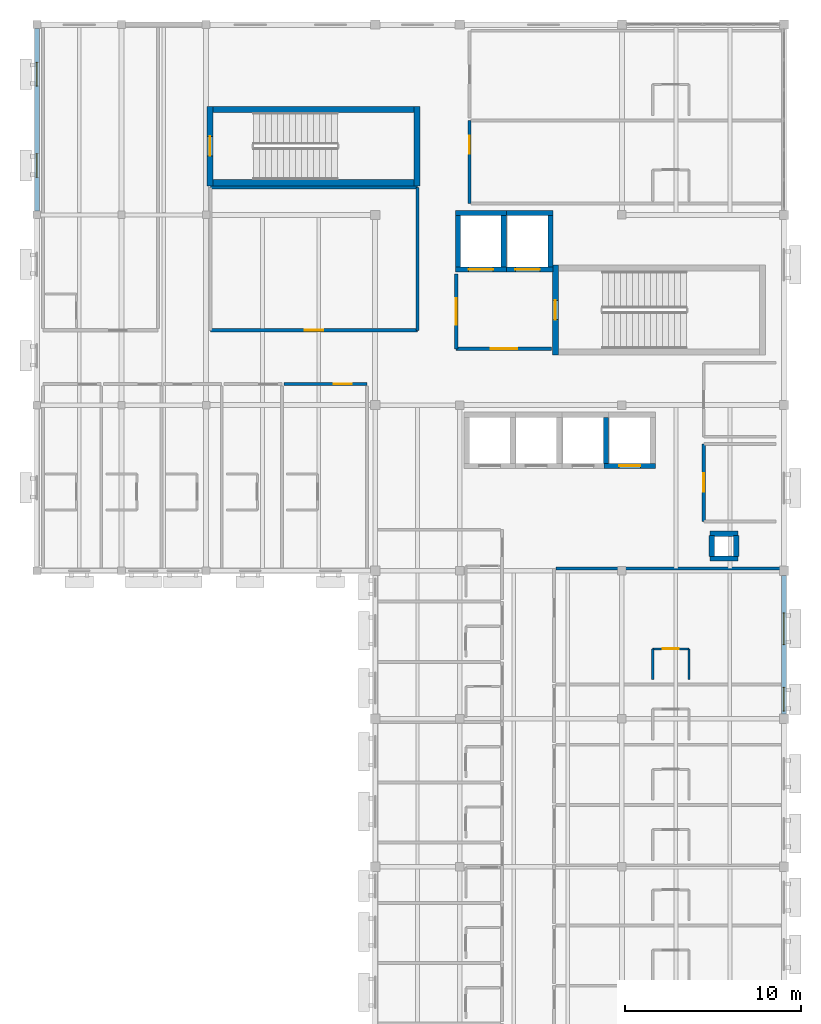
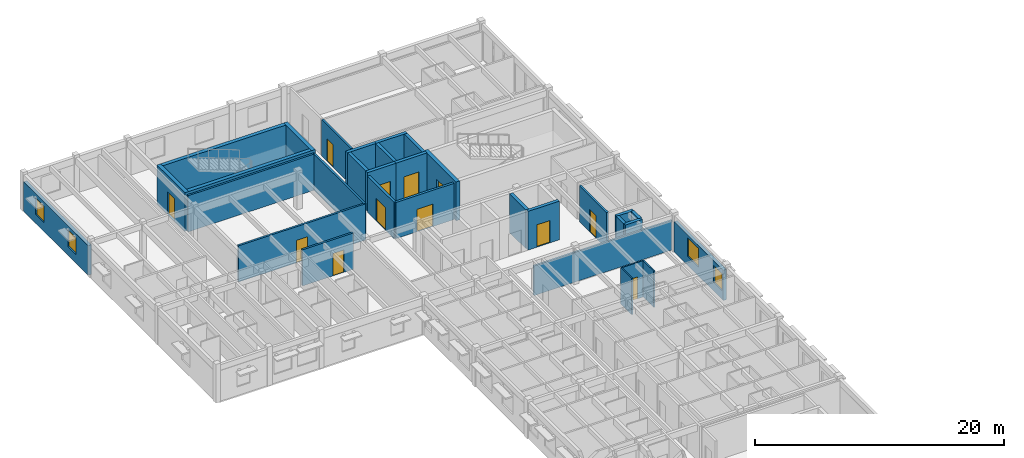
# One storey, part 14 of 22: 32 walls, 12 doors, 4 windows, 16 openings.
"""IFC4 building model written with IfcOpenShell, lengths in metres."""

from ifc_helpers import new_model, si_unit, direction, frame, frame_2d, origin, place, context, subcontext, project, spatial, rectangle, extrude, material, layer, layer_set, type_object, element, fill, save


model = new_model("IFC4")

# Units and contexts
model_context = context("Model", 3, precision=1e-05, world=origin(), true_north=direction((0.0, 1.0)))
body_context = subcontext(model_context, "Body", "Model", "MODEL_VIEW")
ifc_project = project(units=[si_unit("LENGTHUNIT", "METRE"), si_unit("AREAUNIT", "SQUARE_METRE"), si_unit("VOLUMEUNIT", "CUBIC_METRE"), si_unit("PLANEANGLEUNIT", "RADIAN"), si_unit("MASSUNIT", "GRAM", prefix="KILO")], contexts=[model_context])

# Site, building, storey
site_placement = place(None, origin())
site = spatial("IfcSite", under=ifc_project, at=site_placement, CompositionType="ELEMENT")
building_placement = place(site_placement, origin())
building = spatial("IfcBuilding", under=site, at=building_placement, Name="Veldera Park Congress Hotel", CompositionType="ELEMENT")
storey_placement = place(building_placement, frame((0.0, 0.0, 23.800048828125)))
storey = spatial("IfcBuildingStorey", under=building, at=storey_placement, Name="L05", CompositionType="ELEMENT", Elevation=23.800048828125)

# Wall, openings, windows
ifc_material_1 = material(Name="Cross-laminated timber CLT V2M1.1", Category="wood")
ifc_layer_1 = layer(ifc_material_1, 0.300048828125)
ifc_layer_set_1 = layer_set([ifc_layer_1], Name="Cross-laminated timber CLT V2M1.1")
wall_type_1 = type_object("IfcWallType", Name="EW-CLT300", PredefinedType="STANDARD", material=ifc_layer_set_1)
wall_1_placement = place(storey_placement, frame((84.0, 18.85791015625, 0.0), z_axis=(0.0, 0.0, 1.0), x_axis=(0.0, 1.0, 0.0)))
wall_1 = element("IfcWall", 1, at=wall_1_placement, inside=storey, type_object=wall_type_1, Name="L05 Exterior Wall EW3-L05-0286", PredefinedType="STANDARD", context=body_context, shape_type="SweptSolid", body=[
    extrude(rectangle(XDim=7.884033203125, YDim=0.300048828125, at=frame_2d((3.94189453125, 0.0))), origin(), (0.0, 0.0, 1.0), 2.96484375),
])
opening_1_placement = place(wall_1_placement, frame((0.1708984375, 0.0, 0.85009765625)))
opening_1 = element("IfcOpeningElement", 2, at=opening_1_placement, cuts=wall_1, Name="Opening WIN-1350", PredefinedType="OPENING", context=body_context, shape_type="SweptSolid", body=[
    extrude(rectangle(XDim=1.35009765625, YDim=1.64990234375, at=frame_2d((0.675048828125, 0.824951171875))), frame((0.0, 0.162109375, 0.0), z_axis=(0.0, -1.0, 0.0), x_axis=(1.0, 0.0, 0.0)), (0.0, 0.0, 1.0), 0.323974609375),
])
opening_2_placement = place(wall_1_placement, frame((3.947998046875, 0.0, 0.85009765625)))
opening_2 = element("IfcOpeningElement", 3, at=opening_2_placement, cuts=wall_1, Name="Opening WIN-1800", PredefinedType="OPENING", context=body_context, shape_type="SweptSolid", body=[
    extrude(rectangle(XDim=1.800048828125, YDim=1.85009765625, at=frame_2d((0.89990234375, 0.925048828125))), frame((0.0, 0.162109375, 0.0), z_axis=(0.0, -1.0, 0.0), x_axis=(1.0, 0.0, 0.0)), (0.0, 0.0, 1.0), 0.323974609375),
])
ifc_material_2 = material(Name="Low-E Triple Insulating Glass Unit (SHGC 0.22)", Category="glass")
window_type_1 = type_object("IfcWindowType", Name="WIN-1350", PartitioningType="SINGLE_PANEL", PredefinedType="WINDOW", material=ifc_material_2)
window_1_placement = place(opening_1_placement, origin())
window_1 = element("IfcWindow", 4, at=window_1_placement, inside=storey, type_object=window_type_1, Name="L05 Window WIN-1350 504", OverallHeight=1.64990234375, OverallWidth=1.35009765625, PartitioningType="SINGLE_PANEL", PredefinedType="WINDOW", context=body_context, shape_type="SweptSolid", body=[
    extrude(rectangle(XDim=1.35009765625, YDim=1.64990234375, at=frame_2d((0.675048828125, 0.824951171875))), frame((0.0, 0.030029296875, 0.0), z_axis=(0.0, -1.0, 0.0), x_axis=(1.0, 0.0, 0.0)), (0.0, 0.0, 1.0), 0.06005859375),
])
fill(opening_1, window_1)
window_type_2 = type_object("IfcWindowType", Name="WIN-1800", PartitioningType="SINGLE_PANEL", PredefinedType="WINDOW", material=ifc_material_2)
window_2_placement = place(opening_2_placement, origin())
window_2 = element("IfcWindow", 5, at=window_2_placement, inside=storey, type_object=window_type_2, Name="L05 Window WIN-1800 505", OverallHeight=1.85009765625, OverallWidth=1.800048828125, PartitioningType="SINGLE_PANEL", PredefinedType="WINDOW", context=body_context, shape_type="SweptSolid", body=[
    extrude(rectangle(XDim=1.800048828125, YDim=1.85009765625, at=frame_2d((0.89990234375, 0.925048828125))), frame((0.0, 0.030029296875, 0.0), z_axis=(0.0, -1.0, 0.0), x_axis=(1.0, 0.0, 0.0)), (0.0, 0.0, 1.0), 0.06005859375),
])
fill(opening_2, window_2)

wall_2_placement = place(storey_placement, frame((41.60009765625, 57.777099609375, 0.0), z_axis=(0.0, 0.0, 1.0), x_axis=(0.0, -1.0, 0.0)))
wall_2 = element("IfcWall", 6, at=wall_2_placement, inside=storey, type_object=wall_type_1, Name="L05 Exterior Wall EW3-L05-0294", PredefinedType="STANDARD", context=body_context, shape_type="SweptSolid", body=[
    extrude(rectangle(XDim=10.369140625, YDim=0.300048828125, at=frame_2d((5.1845703125, 0.0))), origin(), (0.0, 0.0, 1.0), 2.905029296875),
])
opening_3_placement = place(wall_2_placement, frame((1.917236328125, 0.0, 0.85009765625)))
opening_3 = element("IfcOpeningElement", 7, at=opening_3_placement, cuts=wall_2, Name="Opening WIN-1350", PredefinedType="OPENING", context=body_context, shape_type="SweptSolid", body=[
    extrude(rectangle(XDim=1.35009765625, YDim=1.64990234375, at=frame_2d((0.675048828125, 0.824951171875))), frame((0.0, 0.162109375, 0.0), z_axis=(0.0, -1.0, 0.0), x_axis=(1.0, 0.0, 0.0)), (0.0, 0.0, 1.0), 0.323974609375),
])
opening_4_placement = place(wall_2_placement, frame((7.101806640625, 0.0, 0.85009765625)))
opening_4 = element("IfcOpeningElement", 8, at=opening_4_placement, cuts=wall_2, Name="Opening WIN-1350", PredefinedType="OPENING", context=body_context, shape_type="SweptSolid", body=[
    extrude(rectangle(XDim=1.35009765625, YDim=1.64990234375, at=frame_2d((0.675048828125, 0.824951171875))), frame((0.0, 0.162109375, 0.0), z_axis=(0.0, -1.0, 0.0), x_axis=(1.0, 0.0, 0.0)), (0.0, 0.0, 1.0), 0.323974609375),
])
window_3_placement = place(opening_3_placement, origin())
window_3 = element("IfcWindow", 9, at=window_3_placement, inside=storey, type_object=window_type_1, Name="L05 Window WIN-1350 227", OverallHeight=1.64990234375, OverallWidth=1.35009765625, PartitioningType="SINGLE_PANEL", PredefinedType="WINDOW", context=body_context, shape_type="SweptSolid", body=[
    extrude(rectangle(XDim=1.35009765625, YDim=1.64990234375, at=frame_2d((0.675048828125, 0.824951171875))), frame((0.0, 0.030029296875, 0.0), z_axis=(0.0, -1.0, 0.0), x_axis=(1.0, 0.0, 0.0)), (0.0, 0.0, 1.0), 0.06005859375),
])
fill(opening_3, window_3)
window_4_placement = place(opening_4_placement, origin())
window_4 = element("IfcWindow", 10, at=window_4_placement, inside=storey, type_object=window_type_1, Name="L05 Window WIN-1350 228", OverallHeight=1.64990234375, OverallWidth=1.35009765625, PartitioningType="SINGLE_PANEL", PredefinedType="WINDOW", context=body_context, shape_type="SweptSolid", body=[
    extrude(rectangle(XDim=1.35009765625, YDim=1.64990234375, at=frame_2d((0.675048828125, 0.824951171875))), frame((0.0, 0.030029296875, 0.0), z_axis=(0.0, -1.0, 0.0), x_axis=(1.0, 0.0, 0.0)), (0.0, 0.0, 1.0), 0.06005859375),
])
fill(opening_4, window_4)

# Walls
ifc_material_3 = material(Name="Fire-Rated Gypsum Board on Cold-Formed Steel Studs", Category="steel")
ifc_layer_2 = layer(ifc_material_3, 0.1201171875)
ifc_layer_set_2 = layer_set([ifc_layer_2], Name="Fire-Rated Gypsum Board on Cold-Formed Steel Studs")
wall_type_2 = type_object("IfcWallType", Name="IW-BATH120", PredefinedType="PARTITIONING", material=ifc_layer_set_2)
for number, where, z_axis, x_axis, name in (
    (11, (76.550048828125, 20.820068359375, 0.0), (0.0, 0.0, 1.0), (0.0, 1.0, 0.0), "L05 Partition Wall IW3-L05-01146"),
    (12, (78.60009765625, 20.820068359375, 0.0), (0.0, 0.0, 1.0), (0.0, 1.0, 0.0), "L05 Partition Wall IW3-L05-01147"),
):
    element("IfcWall", number, at=place(storey_placement, frame(where, z_axis=z_axis, x_axis=x_axis)), inside=storey, type_object=wall_type_2, Name=name, PredefinedType="PARTITIONING", context=body_context, shape_type="SweptSolid", body=[
        extrude(rectangle(XDim=1.75, YDim=0.1201171875, at=frame_2d((0.875, 0.0))), origin(), (0.0, 0.0, 1.0), 3.550048828125),
    ])

# Wall, opening, door
wall_3_placement = place(storey_placement, frame((76.550048828125, 22.570068359375, 0.0), z_axis=(0.0, 0.0, 1.0), x_axis=(1.0, 0.0, 0.0)))
wall_3 = element("IfcWall", 13, at=wall_3_placement, inside=storey, type_object=wall_type_2, Name="L05 Partition Wall IW3-L05-01148", PredefinedType="PARTITIONING", context=body_context, shape_type="SweptSolid", body=[
    extrude(rectangle(XDim=2.050048828125, YDim=0.1201171875, at=frame_2d((1.02490234375, 0.0))), origin(), (0.0, 0.0, 1.0), 3.550048828125),
])
opening_5_placement = place(wall_3_placement, frame((0.574951171875, 0.0, 0.0)))
opening_5 = element("IfcOpeningElement", 14, at=opening_5_placement, cuts=wall_3, Name="Opening ID-BATH090", PredefinedType="OPENING", context=body_context, shape_type="SweptSolid", body=[
    extrude(rectangle(XDim=0.89990234375, YDim=2.14990234375, at=frame_2d((0.449951171875, 1.074951171875))), frame((0.0, 0.072021484375, 0.0), z_axis=(0.0, -1.0, 0.0), x_axis=(1.0, 0.0, 0.0)), (0.0, 0.0, 1.0), 0.14404296875),
])
ifc_material_4 = material(Name="Solid Core White Oak Architectural Door", Category="wood")
door_type_1 = type_object("IfcDoorType", Name="ID-BATH090", OperationType="NOTDEFINED", PredefinedType="DOOR", material=ifc_material_4)
door_1_placement = place(opening_5_placement, origin())
door_1 = element("IfcDoor", 15, at=door_1_placement, inside=storey, type_object=door_type_1, Name="L05 En-suite 169 Door ID3-L05-0477 (DR3-ID3-L05-0477)", OperationType="SINGLE_SWING_LEFT", OverallHeight=2.14990234375, OverallWidth=0.89990234375, PredefinedType="DOOR", context=body_context, shape_type="SweptSolid", body=[
    extrude(rectangle(XDim=0.89990234375, YDim=2.14990234375, at=frame_2d((0.449951171875, 1.074951171875))), frame((0.0, 0.02490234375, 0.0), z_axis=(0.0, -1.0, 0.0), x_axis=(1.0, 0.0, 0.0)), (0.0, 0.0, 1.0), 0.050048828125),
])
fill(opening_5, door_1)

ifc_layer_3 = layer(ifc_material_3, 0.179931640625)
ifc_layer_set_3 = layer_set([ifc_layer_3], Name="Fire-Rated Gypsum Board on Cold-Formed Steel Studs")
wall_type_3 = type_object("IfcWallType", Name="IW-CORR180", PredefinedType="PARTITIONING", material=ifc_layer_set_3)
wall_4_placement = place(storey_placement, frame((79.449951171875, 34.199951171875, 0.0), z_axis=(0.0, 0.0, 1.0), x_axis=(0.0, -1.0, 0.0)))
wall_4 = element("IfcWall", 16, at=wall_4_placement, inside=storey, type_object=wall_type_3, Name="L05 Partition Wall IW3-L05-00258", PredefinedType="PARTITIONING", context=body_context, shape_type="SweptSolid", body=[
    extrude(rectangle(XDim=4.39990234375, YDim=0.179931640625, at=frame_2d((2.199951171875, 0.0))), origin(), (0.0, 0.0, 1.0), 3.550048828125),
])
opening_6_placement = place(wall_4_placement, frame((1.675048828125, 0.0, 0.0)))
opening_6 = element("IfcOpeningElement", 17, at=opening_6_placement, cuts=wall_4, Name="Opening ID-MEET105", PredefinedType="OPENING", context=body_context, shape_type="SweptSolid", body=[
    extrude(rectangle(XDim=1.050048828125, YDim=2.199951171875, at=frame_2d((0.52490234375, 1.10009765625))), frame((0.0, 0.10205078125, 0.0), z_axis=(0.0, -1.0, 0.0), x_axis=(1.0, 0.0, 0.0)), (0.0, 0.0, 1.0), 0.203857421875),
])
door_type_2 = type_object("IfcDoorType", Name="ID-MEET105", OperationType="NOTDEFINED", PredefinedType="DOOR", material=ifc_material_4)
door_2_placement = place(opening_6_placement, origin())
door_2 = element("IfcDoor", 18, at=door_2_placement, inside=storey, type_object=door_type_2, Name="L05 L05 Housekeeping and Linen Store Door ID3-L05-0094 (DR3-ID3-L05-0094)", OperationType="SINGLE_SWING_LEFT", OverallHeight=2.199951171875, OverallWidth=1.050048828125, PredefinedType="DOOR", context=body_context, shape_type="SweptSolid", body=[
    extrude(rectangle(XDim=1.050048828125, YDim=2.199951171875, at=frame_2d((0.52490234375, 1.10009765625))), frame((0.0, 0.02490234375, 0.0), z_axis=(0.0, -1.0, 0.0), x_axis=(1.0, 0.0, 0.0)), (0.0, 0.0, 1.0), 0.050048828125),
])
fill(opening_6, door_2)

wall_5_placement = place(storey_placement, frame((51.449951171875, 40.64990234375, 0.0), z_axis=(0.0, 0.0, 1.0), x_axis=(1.0, 0.0, 0.0)))
wall_5 = element("IfcWall", 19, at=wall_5_placement, inside=storey, type_object=wall_type_3, Name="L05 Partition Wall IW3-L05-00262", PredefinedType="PARTITIONING", context=body_context, shape_type="SweptSolid", body=[
    extrude(rectangle(XDim=11.75, YDim=0.179931640625, at=frame_2d((5.875, 0.0))), origin(), (0.0, 0.0, 1.0), 3.550048828125),
])
opening_7_placement = place(wall_5_placement, frame((5.35009765625, 0.0, 0.0)))
opening_7 = element("IfcOpeningElement", 20, at=opening_7_placement, cuts=wall_5, Name="Opening ID-MEET105", PredefinedType="OPENING", context=body_context, shape_type="SweptSolid", body=[
    extrude(rectangle(XDim=1.050048828125, YDim=2.199951171875, at=frame_2d((0.52490234375, 1.10009765625))), frame((0.0, 0.10205078125, 0.0), z_axis=(0.0, -1.0, 0.0), x_axis=(1.0, 0.0, 0.0)), (0.0, 0.0, 1.0), 0.203857421875),
])
door_3_placement = place(opening_7_placement, origin())
door_3 = element("IfcDoor", 21, at=door_3_placement, inside=storey, type_object=door_type_2, Name="L05 L05 North Garden Executive Boardroom Door ID3-L05-0096 (DR3-ID3-L05-0096)", OperationType="SINGLE_SWING_LEFT", OverallHeight=2.199951171875, OverallWidth=1.050048828125, PredefinedType="DOOR", context=body_context, shape_type="SweptSolid", body=[
    extrude(rectangle(XDim=1.050048828125, YDim=2.199951171875, at=frame_2d((0.52490234375, 1.10009765625))), frame((0.0, 0.02490234375, 0.0), z_axis=(0.0, -1.0, 0.0), x_axis=(1.0, 0.0, 0.0)), (0.0, 0.0, 1.0), 0.050048828125),
])
fill(opening_7, door_3)

# Walls
wall_6_placement = place(storey_placement, frame((63.199951171875, 40.64990234375, 0.0), z_axis=(0.0, 0.0, 1.0), x_axis=(0.0, 1.0, 0.0)))
element("IfcWall", 22, at=wall_6_placement, inside=storey, type_object=wall_type_3, Name="L05 Partition Wall IW3-L05-00263", PredefinedType="PARTITIONING", context=body_context, shape_type="SweptSolid", body=[
    extrude(rectangle(XDim=8.10009765625, YDim=0.179931640625, at=frame_2d((4.050048828125, 0.0))), origin(), (0.0, 0.0, 1.0), 3.550048828125),
])
wall_7_placement = place(storey_placement, frame((63.199951171875, 48.75, 0.0), z_axis=(0.0, 0.0, 1.0), x_axis=(-1.0, 0.0, 0.0)))
element("IfcWall", 23, at=wall_7_placement, inside=storey, type_object=wall_type_3, Name="L05 Partition Wall IW3-L05-00264", PredefinedType="PARTITIONING", context=body_context, shape_type="SweptSolid", body=[
    extrude(rectangle(XDim=11.75, YDim=0.179931640625, at=frame_2d((5.875, 0.0))), origin(), (0.0, 0.0, 1.0), 3.550048828125),
])

# Wall, opening, door
wall_8_placement = place(storey_placement, frame((60.330078125, 37.60009765625, 0.0), z_axis=(0.0, 0.0, 1.0), x_axis=(-1.0, 0.0, 0.0)))
wall_8 = element("IfcWall", 24, at=wall_8_placement, inside=storey, type_object=wall_type_3, Name="L05 Corridor Wall IW3-L05-01170", PredefinedType="PARTITIONING", context=body_context, shape_type="SweptSolid", body=[
    extrude(rectangle(XDim=4.7001953125, YDim=0.179931640625, at=frame_2d((2.35009765625, 0.0))), origin(), (0.0, 0.0, 1.0), 3.550048828125),
])
opening_8_placement = place(wall_8_placement, frame((0.8701171875, 0.0, 0.0)))
opening_8 = element("IfcOpeningElement", 25, at=opening_8_placement, cuts=wall_8, Name="Opening ID-UNIT100", PredefinedType="OPENING", context=body_context, shape_type="SweptSolid", body=[
    extrude(rectangle(XDim=1.0, YDim=2.199951171875, at=frame_2d((0.5, 1.10009765625))), frame((0.0, 0.10205078125, 0.0), z_axis=(0.0, -1.0, 0.0), x_axis=(1.0, 0.0, 0.0)), (0.0, 0.0, 1.0), 0.203857421875),
])
door_type_3 = type_object("IfcDoorType", Name="ID-UNIT100", OperationType="NOTDEFINED", PredefinedType="DOOR", material=ifc_material_4)
door_4_placement = place(opening_8_placement, frame((1.0, 0.0, 0.0), z_axis=(0.0, 0.0, 1.0), x_axis=(-1.0, 0.0, 0.0)))
door_4 = element("IfcDoor", 26, at=door_4_placement, inside=storey, type_object=door_type_3, Name="L05 Guestroom 174 Entry Door (DR3-UD3-L05-174)", OperationType="SINGLE_SWING_RIGHT", OverallHeight=2.199951171875, OverallWidth=1.0, PredefinedType="DOOR", context=body_context, shape_type="SweptSolid", body=[
    extrude(rectangle(XDim=1.0, YDim=2.199951171875, at=frame_2d((0.5, 1.10009765625))), frame((0.0, 0.02490234375, 0.0), z_axis=(0.0, -1.0, 0.0), x_axis=(1.0, 0.0, 0.0)), (0.0, 0.0, 1.0), 0.050048828125),
])
fill(opening_8, door_4)

wall_9_placement = place(storey_placement, frame((66.14990234375, 52.550048828125, 0.0), z_axis=(0.0, 0.0, 1.0), x_axis=(0.0, -1.0, 0.0)))
wall_9 = element("IfcWall", 27, at=wall_9_placement, inside=storey, type_object=wall_type_3, Name="L05 Corridor Wall IW3-L05-01175", PredefinedType="PARTITIONING", context=body_context, shape_type="SweptSolid", body=[
    extrude(rectangle(XDim=4.699951171875, YDim=0.179931640625, at=frame_2d((2.35009765625, 0.0))), origin(), (0.0, 0.0, 1.0), 3.550048828125),
])
opening_9_placement = place(wall_9_placement, frame((0.8701171875, 0.0, 0.0)))
opening_9 = element("IfcOpeningElement", 28, at=opening_9_placement, cuts=wall_9, Name="Opening ID-UNIT100", PredefinedType="OPENING", context=body_context, shape_type="SweptSolid", body=[
    extrude(rectangle(XDim=1.0, YDim=2.199951171875, at=frame_2d((0.5, 1.10009765625))), frame((0.0, 0.10205078125, 0.0), z_axis=(0.0, -1.0, 0.0), x_axis=(1.0, 0.0, 0.0)), (0.0, 0.0, 1.0), 0.203857421875),
])
door_5_placement = place(opening_9_placement, origin())
door_5 = element("IfcDoor", 29, at=door_5_placement, inside=storey, type_object=door_type_3, Name="L05 Guestroom 175 Entry Door (DR3-UD3-L05-175)", OperationType="SINGLE_SWING_RIGHT", OverallHeight=2.199951171875, OverallWidth=1.0, PredefinedType="DOOR", context=body_context, shape_type="SweptSolid", body=[
    extrude(rectangle(XDim=1.0, YDim=2.199951171875, at=frame_2d((0.5, 1.10009765625))), frame((0.0, 0.02490234375, 0.0), z_axis=(0.0, -1.0, 0.0), x_axis=(1.0, 0.0, 0.0)), (0.0, 0.0, 1.0), 0.050048828125),
])
fill(opening_9, door_5)

ifc_material_5 = material(Name="Concrete f'c 40 MPa (5,800 psi)", Category="concrete")
ifc_layer_4 = layer(ifc_material_5, 0.219970703125)
ifc_layer_set_4 = layer_set([ifc_layer_4], Name="Concrete f'c 40 MPa (5,800 psi)")
wall_type_4 = type_object("IfcWallType", Name="IW-FIRE220", PredefinedType="STANDARD", material=ifc_layer_set_4)
wall_10_placement = place(storey_placement, frame((65.39990234375, 39.60009765625, 0.0), z_axis=(0.0, 0.0, 1.0), x_axis=(1.0, 0.0, 0.0)))
wall_10 = element("IfcWall", 30, at=wall_10_placement, inside=storey, type_object=wall_type_4, Name="L05 Partition Wall IW3-L05-00251", PredefinedType="STANDARD", context=body_context, shape_type="SweptSolid", body=[
    extrude(rectangle(XDim=5.400146484375, YDim=0.219970703125, at=frame_2d((2.7001953125, 0.0))), origin(), (0.0, 0.0, 1.0), 3.550048828125),
])
opening_10_placement = place(wall_10_placement, frame((1.949951171875, 0.0, 0.0)))
opening_10 = element("IfcOpeningElement", 31, at=opening_10_placement, cuts=wall_10, Name="Opening ID-LOB150", PredefinedType="OPENING", context=body_context, shape_type="SweptSolid", body=[
    extrude(rectangle(XDim=1.5, YDim=2.199951171875, at=frame_2d((0.75, 1.10009765625))), frame((0.0, 0.1220703125, 0.0), z_axis=(0.0, -1.0, 0.0), x_axis=(1.0, 0.0, 0.0)), (0.0, 0.0, 1.0), 0.243896484375),
])
ifc_material_6 = material(Name="Hollow Metal Fire-Rated Steel Door", Category="steel")
door_type_4 = type_object("IfcDoorType", Name="ID-LOB150", OperationType="DOUBLE_DOOR_SINGLE_SWING", PredefinedType="DOOR", material=ifc_material_6)
door_6_placement = place(opening_10_placement, origin())
door_6 = element("IfcDoor", 32, at=door_6_placement, inside=storey, type_object=door_type_4, Name="L05 Firefighting Lobby Door ID3-L05-0091 (DR3-ID3-L05-0091)", OperationType="DOUBLE_DOOR_SINGLE_SWING", OverallHeight=2.199951171875, OverallWidth=1.5, PredefinedType="DOOR", context=body_context, shape_type="SweptSolid", body=[
    extrude(rectangle(XDim=1.5, YDim=2.199951171875, at=frame_2d((0.75, 1.10009765625))), frame((0.0, 0.02490234375, 0.0), z_axis=(0.0, -1.0, 0.0), x_axis=(1.0, 0.0, 0.0)), (0.0, 0.0, 1.0), 0.050048828125),
])
fill(opening_10, door_6)

wall_11_placement = place(storey_placement, frame((65.39990234375, 43.85009765625, 0.0), z_axis=(0.0, 0.0, 1.0), x_axis=(0.0, -1.0, 0.0)))
wall_11 = element("IfcWall", 33, at=wall_11_placement, inside=storey, type_object=wall_type_4, Name="L05 Partition Wall IW3-L05-00252", PredefinedType="STANDARD", context=body_context, shape_type="SweptSolid", body=[
    extrude(rectangle(XDim=4.25, YDim=0.219970703125, at=frame_2d((2.125, 0.0))), origin(), (0.0, 0.0, 1.0), 3.550048828125),
])
opening_11_placement = place(wall_11_placement, frame((1.375, 0.0, 0.0)))
opening_11 = element("IfcOpeningElement", 34, at=opening_11_placement, cuts=wall_11, Name="Opening ID-LOB150", PredefinedType="OPENING", context=body_context, shape_type="SweptSolid", body=[
    extrude(rectangle(XDim=1.5, YDim=2.199951171875, at=frame_2d((0.75, 1.10009765625))), frame((0.0, 0.1220703125, 0.0), z_axis=(0.0, -1.0, 0.0), x_axis=(1.0, 0.0, 0.0)), (0.0, 0.0, 1.0), 0.243896484375),
])
door_7_placement = place(opening_11_placement, origin())
door_7 = element("IfcDoor", 35, at=door_7_placement, inside=storey, type_object=door_type_4, Name="L05 Firefighting Lobby Door ID3-L05-0092 (DR3-ID3-L05-0092)", OperationType="DOUBLE_DOOR_SINGLE_SWING", OverallHeight=2.199951171875, OverallWidth=1.5, PredefinedType="DOOR", context=body_context, shape_type="SweptSolid", body=[
    extrude(rectangle(XDim=1.5, YDim=2.199951171875, at=frame_2d((0.75, 1.10009765625))), frame((0.0, 0.02490234375, 0.0), z_axis=(0.0, -1.0, 0.0), x_axis=(1.0, 0.0, 0.0)), (0.0, 0.0, 1.0), 0.050048828125),
])
fill(opening_11, door_7)

# Wall
ifc_layer_5 = layer(ifc_material_1, 0.159912109375)
ifc_layer_set_5 = layer_set([ifc_layer_5], Name="Cross-laminated timber CLT V2M1.1")
wall_type_5 = type_object("IfcWallType", Name="IW-UNIT160", PredefinedType="PARTITIONING", material=ifc_layer_set_5)
wall_12_placement = place(storey_placement, frame((71.050048828125, 27.1298828125, 0.0), z_axis=(0.0, 0.0, 1.0), x_axis=(1.0, 0.0, 0.0)))
element("IfcWall", 36, at=wall_12_placement, inside=storey, type_object=wall_type_5, Name="L05 Partition Wall IW3-L05-01145", PredefinedType="PARTITIONING", context=body_context, shape_type="SweptSolid", body=[
    extrude(rectangle(XDim=12.7900390625, YDim=0.159912109375, at=frame_2d((6.39501953125, 0.0))), origin(), (0.0, 0.0, 1.0), 2.905029296875),
])

# Wall, opening, door
ifc_layer_6 = layer(ifc_material_5, 0.35009765625)
ifc_layer_set_6 = layer_set([ifc_layer_6], Name="Concrete f'c 40 MPa (5,800 psi)")
wall_type_6 = type_object("IfcWallType", Name="SW-CORE350", PredefinedType="SHEAR", material=ifc_layer_set_6)
wall_13_placement = place(storey_placement, frame((71.02490234375, 44.35009765625, 0.0), z_axis=(0.0, 0.0, 1.0), x_axis=(0.0, -1.0, 0.0)))
wall_13 = element("IfcWall", 37, at=wall_13_placement, inside=storey, type_object=wall_type_6, Name="Stair ST1 Core Wall L05-W", PredefinedType="SHEAR", context=body_context, shape_type="SweptSolid", body=[
    extrude(rectangle(XDim=5.10009765625, YDim=0.35009765625, at=frame_2d((2.550048828125, 0.0))), origin(), (0.0, 0.0, 1.0), 3.800048828125),
])
opening_12_placement = place(wall_13_placement, frame((2.0, 0.0, 0.0)))
opening_12 = element("IfcOpeningElement", 38, at=opening_12_placement, cuts=wall_13, Name="Opening ID-STAIR110", PredefinedType="OPENING", context=body_context, shape_type="SweptSolid", body=[
    extrude(rectangle(XDim=1.10009765625, YDim=2.199951171875, at=frame_2d((0.550048828125, 1.10009765625))), frame((0.0, 0.18701171875, 0.0), z_axis=(0.0, -1.0, 0.0), x_axis=(1.0, 0.0, 0.0)), (0.0, 0.0, 1.0), 0.3740234375),
])
door_type_5 = type_object("IfcDoorType", Name="ID-STAIR110", OperationType="NOTDEFINED", PredefinedType="DOOR", material=ifc_material_6)
door_8_placement = place(opening_12_placement, origin())
door_8 = element("IfcDoor", 39, at=door_8_placement, inside=storey, type_object=door_type_5, Name="L05 Stair ST1 Fire Door (DR3-SD-ST1-L05)", OperationType="SINGLE_SWING_LEFT", OverallHeight=2.199951171875, OverallWidth=1.10009765625, PredefinedType="DOOR", context=body_context, shape_type="SweptSolid", body=[
    extrude(rectangle(XDim=1.10009765625, YDim=2.199951171875, at=frame_2d((0.550048828125, 1.10009765625))), frame((0.0, 0.02490234375, 0.0), z_axis=(0.0, -1.0, 0.0), x_axis=(1.0, 0.0, 0.0)), (0.0, 0.0, 1.0), 0.050048828125),
])
fill(opening_12, door_8)

# Walls
wall_14_placement = place(storey_placement, frame((51.25, 49.02490234375, 0.0), z_axis=(0.0, 0.0, 1.0), x_axis=(1.0, 0.0, 0.0)))
element("IfcWall", 40, at=wall_14_placement, inside=storey, type_object=wall_type_6, Name="Stair ST3 Core Wall L05-S", PredefinedType="SHEAR", context=body_context, shape_type="SweptSolid", body=[
    extrude(rectangle(XDim=12.10009765625, YDim=0.35009765625, at=frame_2d((6.050048828125, 0.0))), origin(), (0.0, 0.0, 1.0), 3.800048828125),
])
wall_15_placement = place(storey_placement, frame((63.175048828125, 48.85009765625, 0.0), z_axis=(0.0, 0.0, 1.0), x_axis=(0.0, 1.0, 0.0)))
element("IfcWall", 41, at=wall_15_placement, inside=storey, type_object=wall_type_6, Name="Stair ST3 Core Wall L05-E", PredefinedType="SHEAR", context=body_context, shape_type="SweptSolid", body=[
    extrude(rectangle(XDim=4.5, YDim=0.35009765625, at=frame_2d((2.25, 0.0))), origin(), (0.0, 0.0, 1.0), 3.800048828125),
])
wall_16_placement = place(storey_placement, frame((63.35009765625, 53.175048828125, 0.0), z_axis=(0.0, 0.0, 1.0), x_axis=(-1.0, 0.0, 0.0)))
element("IfcWall", 42, at=wall_16_placement, inside=storey, type_object=wall_type_6, Name="Stair ST3 Core Wall L05-N", PredefinedType="SHEAR", context=body_context, shape_type="SweptSolid", body=[
    extrude(rectangle(XDim=12.10009765625, YDim=0.35009765625, at=frame_2d((6.050048828125, 0.0))), origin(), (0.0, 0.0, 1.0), 3.800048828125),
])

# Wall, opening, door
wall_17_placement = place(storey_placement, frame((51.425048828125, 53.35009765625, 0.0), z_axis=(0.0, 0.0, 1.0), x_axis=(0.0, -1.0, 0.0)))
wall_17 = element("IfcWall", 43, at=wall_17_placement, inside=storey, type_object=wall_type_6, Name="Stair ST3 Core Wall L05-W", PredefinedType="SHEAR", context=body_context, shape_type="SweptSolid", body=[
    extrude(rectangle(XDim=4.5, YDim=0.35009765625, at=frame_2d((2.25, 0.0))), origin(), (0.0, 0.0, 1.0), 3.800048828125),
])
opening_13_placement = place(wall_17_placement, frame((1.699951171875, 0.0, 0.0)))
opening_13 = element("IfcOpeningElement", 44, at=opening_13_placement, cuts=wall_17, Name="Opening ID-STAIR110", PredefinedType="OPENING", context=body_context, shape_type="SweptSolid", body=[
    extrude(rectangle(XDim=1.10009765625, YDim=2.199951171875, at=frame_2d((0.550048828125, 1.10009765625))), frame((0.0, 0.18701171875, 0.0), z_axis=(0.0, -1.0, 0.0), x_axis=(1.0, 0.0, 0.0)), (0.0, 0.0, 1.0), 0.3740234375),
])
door_9_placement = place(opening_13_placement, origin())
door_9 = element("IfcDoor", 45, at=door_9_placement, inside=storey, type_object=door_type_5, Name="L05 Stair ST3 Fire Door (DR3-SD-ST3-L05)", OperationType="SINGLE_SWING_LEFT", OverallHeight=2.199951171875, OverallWidth=1.10009765625, PredefinedType="DOOR", context=body_context, shape_type="SweptSolid", body=[
    extrude(rectangle(XDim=1.10009765625, YDim=2.199951171875, at=frame_2d((0.550048828125, 1.10009765625))), frame((0.0, 0.02490234375, 0.0), z_axis=(0.0, -1.0, 0.0), x_axis=(1.0, 0.0, 0.0)), (0.0, 0.0, 1.0), 0.050048828125),
])
fill(opening_13, door_9)

# Walls
ifc_layer_7 = layer(ifc_material_5, 0.300048828125)
ifc_layer_set_7 = layer_set([ifc_layer_7], Name="Concrete f'c 40 MPa (5,800 psi)")
wall_type_7 = type_object("IfcWallType", Name="SW-SHFT300", PredefinedType="SHEAR", material=ifc_layer_set_7)
for number, where, z_axis, x_axis, name in (
    (46, (79.800048828125, 27.699951171875, 0.0), (0.0, 0.0, 1.0), (1.0, 0.0, 0.0), "MEP Riser Shaft Wall L05-S"),
    (47, (81.39990234375, 29.10009765625, 0.0), (0.0, 0.0, 1.0), (-1.0, 0.0, 0.0), "MEP Riser Shaft Wall L05-N"),
):
    element("IfcWall", number, at=place(storey_placement, frame(where, z_axis=z_axis, x_axis=x_axis)), inside=storey, type_object=wall_type_7, Name=name, PredefinedType="SHEAR", context=body_context, shape_type="SweptSolid", body=[
        extrude(rectangle(XDim=1.599853515625, YDim=0.300048828125, at=frame_2d((0.7998046875, 0.0))), origin(), (0.0, 0.0, 1.0), 3.550048828125),
    ])
for number, where, z_axis, x_axis, name in (
    (48, (79.89990234375, 29.0, 0.0), (0.0, 0.0, 1.0), (0.0, -1.0, 0.0), "MEP Riser Shaft Wall L05-W"),
    (49, (81.300048828125, 27.800048828125, 0.0), (0.0, 0.0, 1.0), (0.0, 1.0, 0.0), "MEP Riser Shaft Wall L05-E"),
):
    element("IfcWall", number, at=place(storey_placement, frame(where, z_axis=z_axis, x_axis=x_axis)), inside=storey, type_object=wall_type_7, Name=name, PredefinedType="SHEAR", context=body_context, shape_type="SweptSolid", body=[
        extrude(rectangle(XDim=1.199951171875, YDim=0.300048828125, at=frame_2d((0.60009765625, 0.0))), origin(), (0.0, 0.0, 1.0), 3.550048828125),
    ])

# Wall, opening, door
wall_18_placement = place(storey_placement, frame((65.35009765625, 44.10009765625, 0.0), z_axis=(0.0, 0.0, 1.0), x_axis=(1.0, 0.0, 0.0)))
wall_18 = element("IfcWall", 50, at=wall_18_placement, inside=storey, type_object=wall_type_7, Name="Lift FL-01 Shaft Wall L05-S", PredefinedType="SHEAR", context=body_context, shape_type="SweptSolid", body=[
    extrude(rectangle(XDim=2.89990234375, YDim=0.300048828125, at=frame_2d((1.449951171875, 0.0))), origin(), (0.0, 0.0, 1.0), 3.800048828125),
])
opening_14_placement = place(wall_18_placement, frame((0.75, 0.0, 0.0)))
opening_14 = element("IfcOpeningElement", 51, at=opening_14_placement, cuts=wall_18, Name="Opening LD-140", PredefinedType="OPENING", context=body_context, shape_type="SweptSolid", body=[
    extrude(rectangle(XDim=1.39990234375, YDim=2.199951171875, at=frame_2d((0.699951171875, 1.10009765625))), frame((0.0, 0.162109375, 0.0), z_axis=(0.0, -1.0, 0.0), x_axis=(1.0, 0.0, 0.0)), (0.0, 0.0, 1.0), 0.323974609375),
])
door_type_6 = type_object("IfcDoorType", Name="LD-140", OperationType="DOUBLE_DOOR_SLIDING", PredefinedType="DOOR", material=ifc_material_6)
door_10_placement = place(opening_14_placement, origin())
door_10 = element("IfcDoor", 52, at=door_10_placement, inside=storey, type_object=door_type_6, Name="L05 Lift FL-01 Landing Door (DR3-LD-FL-01-L05)", OperationType="DOUBLE_DOOR_SLIDING", OverallHeight=2.199951171875, OverallWidth=1.39990234375, PredefinedType="DOOR", context=body_context, shape_type="SweptSolid", body=[
    extrude(rectangle(XDim=1.39990234375, YDim=2.199951171875, at=frame_2d((0.699951171875, 1.10009765625))), frame((0.0, 0.02490234375, 0.0), z_axis=(0.0, -1.0, 0.0), x_axis=(1.0, 0.0, 0.0)), (0.0, 0.0, 1.0), 0.050048828125),
])
fill(opening_14, door_10)

# Walls
for number, where, z_axis, x_axis, name in (
    (53, (68.25, 47.300048828125, 0.0), (0.0, 0.0, 1.0), (-1.0, 0.0, 0.0), "Lift FL-01 Shaft Wall L05-N"),
    (54, (68.10009765625, 44.25, 0.0), (0.0, 0.0, 1.0), (0.0, 1.0, 0.0), "Lift FL-01 Shaft Wall L05-E"),
    (55, (65.5, 47.14990234375, 0.0), (0.0, 0.0, 1.0), (0.0, -1.0, 0.0), "Lift FL-01 Shaft Wall L05-W"),
):
    element("IfcWall", number, at=place(storey_placement, frame(where, z_axis=z_axis, x_axis=x_axis)), inside=storey, type_object=wall_type_7, Name=name, PredefinedType="SHEAR", context=body_context, shape_type="SweptSolid", body=[
        extrude(rectangle(XDim=2.89990234375, YDim=0.300048828125, at=frame_2d((1.449951171875, 0.0))), origin(), (0.0, 0.0, 1.0), 3.800048828125),
    ])

# Wall, opening, door
wall_19_placement = place(storey_placement, frame((68.0, 44.10009765625, 0.0), z_axis=(0.0, 0.0, 1.0), x_axis=(1.0, 0.0, 0.0)))
wall_19 = element("IfcWall", 56, at=wall_19_placement, inside=storey, type_object=wall_type_7, Name="Lift FL-02 Shaft Wall L05-S", PredefinedType="SHEAR", context=body_context, shape_type="SweptSolid", body=[
    extrude(rectangle(XDim=2.89990234375, YDim=0.300048828125, at=frame_2d((1.449951171875, 0.0))), origin(), (0.0, 0.0, 1.0), 3.800048828125),
])
opening_15_placement = place(wall_19_placement, frame((0.75, 0.0, 0.0)))
opening_15 = element("IfcOpeningElement", 57, at=opening_15_placement, cuts=wall_19, Name="Opening LD-140", PredefinedType="OPENING", context=body_context, shape_type="SweptSolid", body=[
    extrude(rectangle(XDim=1.39990234375, YDim=2.199951171875, at=frame_2d((0.699951171875, 1.10009765625))), frame((0.0, 0.162109375, 0.0), z_axis=(0.0, -1.0, 0.0), x_axis=(1.0, 0.0, 0.0)), (0.0, 0.0, 1.0), 0.323974609375),
])
door_11_placement = place(opening_15_placement, origin())
door_11 = element("IfcDoor", 58, at=door_11_placement, inside=storey, type_object=door_type_6, Name="L05 Lift FL-02 Landing Door (DR3-LD-FL-02-L05)", OperationType="DOUBLE_DOOR_SLIDING", OverallHeight=2.199951171875, OverallWidth=1.39990234375, PredefinedType="DOOR", context=body_context, shape_type="SweptSolid", body=[
    extrude(rectangle(XDim=1.39990234375, YDim=2.199951171875, at=frame_2d((0.699951171875, 1.10009765625))), frame((0.0, 0.02490234375, 0.0), z_axis=(0.0, -1.0, 0.0), x_axis=(1.0, 0.0, 0.0)), (0.0, 0.0, 1.0), 0.050048828125),
])
fill(opening_15, door_11)

# Walls
for number, where, z_axis, x_axis, name in (
    (59, (70.89990234375, 47.300048828125, 0.0), (0.0, 0.0, 1.0), (-1.0, 0.0, 0.0), "Lift FL-02 Shaft Wall L05-N"),
    (60, (70.75, 44.25, 0.0), (0.0, 0.0, 1.0), (0.0, 1.0, 0.0), "Lift FL-02 Shaft Wall L05-E"),
):
    element("IfcWall", number, at=place(storey_placement, frame(where, z_axis=z_axis, x_axis=x_axis)), inside=storey, type_object=wall_type_7, Name=name, PredefinedType="SHEAR", context=body_context, shape_type="SweptSolid", body=[
        extrude(rectangle(XDim=2.89990234375, YDim=0.300048828125, at=frame_2d((1.449951171875, 0.0))), origin(), (0.0, 0.0, 1.0), 3.800048828125),
    ])
wall_20_placement = place(storey_placement, frame((73.89990234375, 33.10009765625, 0.0), z_axis=(0.0, 0.0, 1.0), x_axis=(0.0, 1.0, 0.0)))
element("IfcWall", 61, at=wall_20_placement, inside=storey, type_object=wall_type_7, Name="Lift PL-03 Shaft Wall L05-E", PredefinedType="SHEAR", context=body_context, shape_type="SweptSolid", body=[
    extrude(rectangle(XDim=2.599853515625, YDim=0.300048828125, at=frame_2d((1.2998046875, 0.0))), origin(), (0.0, 0.0, 1.0), 3.800048828125),
])

# Wall, opening, door
wall_21_placement = place(storey_placement, frame((73.800048828125, 32.949951171875, 0.0), z_axis=(0.0, 0.0, 1.0), x_axis=(1.0, 0.0, 0.0)))
wall_21 = element("IfcWall", 62, at=wall_21_placement, inside=storey, type_object=wall_type_7, Name="Lift PL-04 Shaft Wall L05-S", PredefinedType="SHEAR", context=body_context, shape_type="SweptSolid", body=[
    extrude(rectangle(XDim=2.89990234375, YDim=0.300048828125, at=frame_2d((1.449951171875, 0.0))), origin(), (0.0, 0.0, 1.0), 3.800048828125),
])
opening_16_placement = place(wall_21_placement, frame((0.85009765625, 0.0, 0.0)))
opening_16 = element("IfcOpeningElement", 63, at=opening_16_placement, cuts=wall_21, Name="Opening LD-120", PredefinedType="OPENING", context=body_context, shape_type="SweptSolid", body=[
    extrude(rectangle(XDim=1.199951171875, YDim=2.199951171875, at=frame_2d((0.60009765625, 1.10009765625))), frame((0.0, 0.162109375, 0.0), z_axis=(0.0, -1.0, 0.0), x_axis=(1.0, 0.0, 0.0)), (0.0, 0.0, 1.0), 0.323974609375),
])
door_type_7 = type_object("IfcDoorType", Name="LD-120", OperationType="DOUBLE_DOOR_SLIDING", PredefinedType="DOOR", material=ifc_material_6)
door_12_placement = place(opening_16_placement, origin())
door_12 = element("IfcDoor", 64, at=door_12_placement, inside=storey, type_object=door_type_7, Name="L05 Lift PL-04 Landing Door (DR3-LD-PL-04-L05)", OperationType="DOUBLE_DOOR_SLIDING", OverallHeight=2.199951171875, OverallWidth=1.199951171875, PredefinedType="DOOR", context=body_context, shape_type="SweptSolid", body=[
    extrude(rectangle(XDim=1.199951171875, YDim=2.199951171875, at=frame_2d((0.60009765625, 1.10009765625))), frame((0.0, 0.02490234375, 0.0), z_axis=(0.0, -1.0, 0.0), x_axis=(1.0, 0.0, 0.0)), (0.0, 0.0, 1.0), 0.050048828125),
])
fill(opening_16, door_12)

save(model, "model.ifc")
